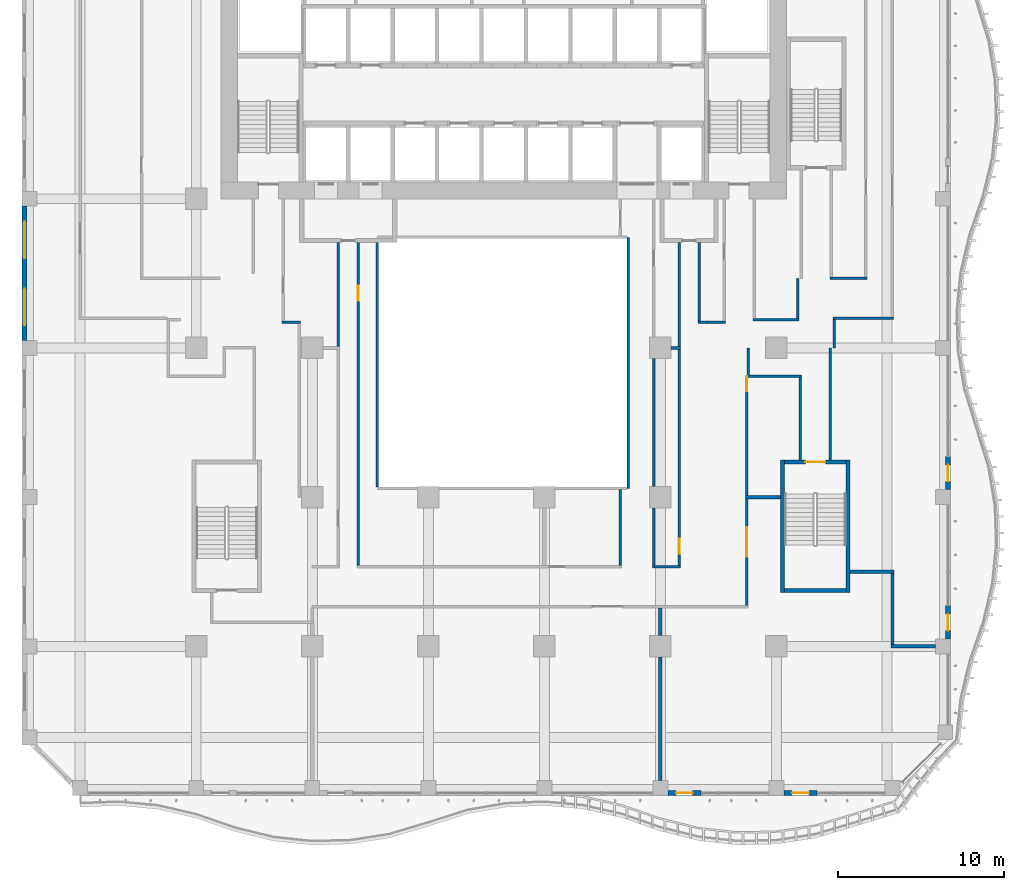
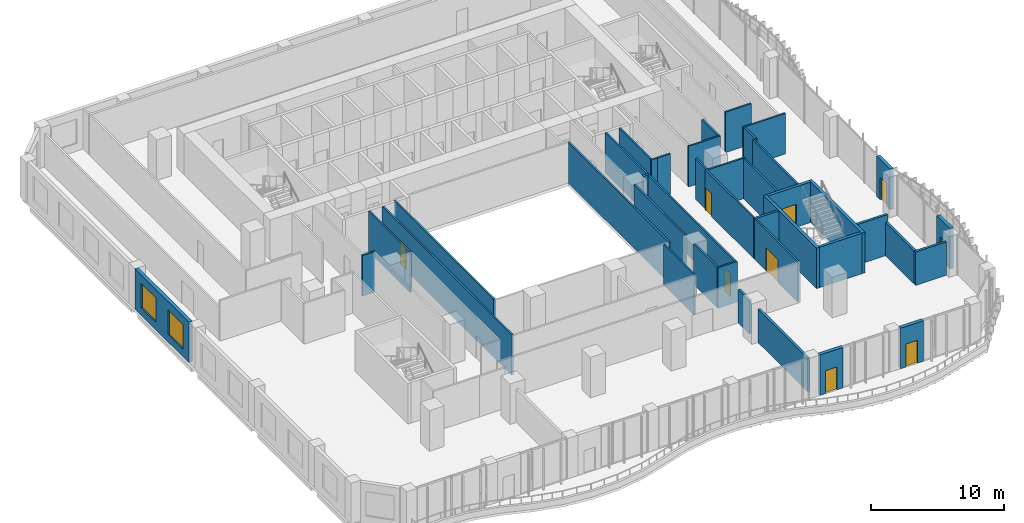
# One storey, part 11 of 25: 41 walls, 9 doors, 2 windows, 11 openings.
"""IFC4 building model written with IfcOpenShell, lengths in metres."""

import ifcopenshell
import ifcopenshell.guid

model = None  # the IFC model being written
_history = None  # IfcOwnerHistory: only IFC2X3 demands one
_inside = {}  # id of a spatial element -> (the spatial element, [elements in it])
_under = {}  # id of a project, library or spatial element -> (it, [spatial elements below it])
_declared = {}  # id of a project -> (the project, [libraries it declares])
_typed = {}  # id of a type object -> (the type object, [elements of that type])
_made_of = {}  # id of a material, layer set ... -> (it, [elements and type objects made of it])


def new_model(schema):
    """Start an empty IFC model of exactly this schema.

    Asked for "IFC4X3", IfcOpenShell would pick the latest addendum, in which some entities
    have other attributes; the version numbers below select the first issue.
    IFC2X3 requires an IfcOwnerHistory on every rooted entity: one is made here for all.
    """
    global model, _history
    if schema == "IFC4X3":
        model = ifcopenshell.file(schema_version=(4, 3, 0, 0))
    else:
        model = ifcopenshell.file(schema=schema)
    _inside.clear()
    _under.clear()
    _declared.clear()
    _typed.clear()
    _made_of.clear()
    _history = None
    if model.schema == "IFC2X3":
        org = make("IfcOrganization", Name="unknown")
        user = make(
            "IfcPersonAndOrganization",
            ThePerson=make("IfcPerson", FamilyName="unknown"),
            TheOrganization=org,
        )
        app = make(
            "IfcApplication",
            ApplicationDeveloper=org,
            Version="unknown",
            ApplicationFullName="unknown",
            ApplicationIdentifier="unknown",
        )
        _history = make(
            "IfcOwnerHistory",
            OwningUser=user,
            OwningApplication=app,
            ChangeAction="ADDED",
            CreationDate=0,
        )
    return model


def make(cls, **values):
    """One entity of the class cls with the attributes given. An attribute that is None is left unset."""
    return model.create_entity(
        cls, **{name: value for name, value in values.items() if value is not None}
    )


def rooted(cls, **values):
    """An entity with a GlobalId (a new one), such as an element, a storey or a relation."""
    return make(cls, GlobalId=ifcopenshell.guid.new(), OwnerHistory=_history, **values)


def si_unit(unit_type, name, prefix=None):
    """IfcSIUnit, for example si_unit("LENGTHUNIT", "METRE", prefix="MILLI")."""
    return make("IfcSIUnit", UnitType=unit_type, Prefix=prefix, Name=name)


def assignment(units):
    """IfcUnitAssignment: the units of a project."""
    return None if units is None else make("IfcUnitAssignment", Units=units)


def point(xyz):
    """IfcCartesianPoint."""
    return None if xyz is None else make("IfcCartesianPoint", Coordinates=xyz)


def direction(xyz):
    """IfcDirection."""
    return None if xyz is None else make("IfcDirection", DirectionRatios=xyz)


def frame(location, z_axis=None, x_axis=None):
    """IfcAxis2Placement3D, a coordinate frame: its origin and axes. An axis left out is left unset."""
    return make(
        "IfcAxis2Placement3D",
        Location=point(location),
        Axis=direction(z_axis),
        RefDirection=direction(x_axis),
    )


def frame_2d(location, x_axis=None):
    """IfcAxis2Placement2D, a coordinate frame in the plane: its origin and x axis."""
    return make(
        "IfcAxis2Placement2D", Location=point(location), RefDirection=direction(x_axis)
    )


def origin():
    """The frame at (0, 0, 0) with its axes left unset."""
    return frame((0.0, 0.0, 0.0))


def place(relative_to, where):
    """IfcLocalPlacement: puts the frame where relative to a parent placement (None: the world)."""
    return make(
        "IfcLocalPlacement", PlacementRelTo=relative_to, RelativePlacement=where
    )


def context(
    kind, dimensions, precision=None, world=None, true_north=None, identifier=None
):
    """IfcGeometricRepresentationContext, for example the 3D "Model" context."""
    return make(
        "IfcGeometricRepresentationContext",
        ContextIdentifier=identifier,
        ContextType=kind,
        CoordinateSpaceDimension=dimensions,
        Precision=precision,
        WorldCoordinateSystem=world,
        TrueNorth=true_north,
    )


def subcontext(parent, identifier, kind, view, scale=None):
    """IfcGeometricRepresentationSubContext, for example "Body" below "Model"."""
    return make(
        "IfcGeometricRepresentationSubContext",
        ContextIdentifier=identifier,
        ContextType=kind,
        ParentContext=parent,
        TargetScale=scale,
        TargetView=view,
    )


def project(units=None, contexts=None):
    """IfcProject with its units and contexts."""
    return rooted(
        "IfcProject",
        Name="project",
        RepresentationContexts=contexts,
        UnitsInContext=assignment(units),
    )


def spatial(cls, under=None, at=None, **own):
    """A site, building, storey or space (cls), placed at a placement, below another one or the project."""
    s = rooted(cls, ObjectPlacement=at, **own)
    if under is not None:
        _under.setdefault(under.id(), (under, []))[1].append(s)
    return s


def profile(cls, at=None, kind="AREA", **sizes):
    """A parametric profile (cls). Its sizes go by their IFC names, for example OverallWidth=200.0."""
    return make(cls, ProfileType=kind, Position=at, **sizes)


def rectangle(**sizes):
    """IfcRectangleProfileDef."""
    return profile("IfcRectangleProfileDef", **sizes)


def extrude(swept, where, along, depth):
    """IfcExtrudedAreaSolid: the profile swept, set in the frame where, extruded along a direction by depth."""
    return make(
        "IfcExtrudedAreaSolid",
        SweptArea=swept,
        Position=where,
        ExtrudedDirection=direction(along),
        Depth=depth,
    )


def shape(context_of_items, identifier, shape_type, items):
    """IfcShapeRepresentation: the items that make up one representation, for example the "Body"."""
    return make(
        "IfcShapeRepresentation",
        ContextOfItems=context_of_items,
        RepresentationIdentifier=identifier,
        RepresentationType=shape_type,
        Items=items,
    )


def source(mapping_origin, context_of_items, identifier, shape_type, items):
    """IfcRepresentationMap: a shape defined once, which mapped items show again and again."""
    return make(
        "IfcRepresentationMap",
        MappingOrigin=mapping_origin,
        MappedRepresentation=shape(context_of_items, identifier, shape_type, items),
    )


def transform(
    local_origin,
    x_axis=None,
    y_axis=None,
    z_axis=None,
    scale=None,
    scale2=None,
    scale3=None,
    uniform=True,
):
    """IfcCartesianTransformationOperator3D, or its non-uniform kind. x_axis, y_axis, z_axis: its Axis1, 2, 3."""
    if uniform:
        return make(
            "IfcCartesianTransformationOperator3D",
            Axis1=direction(x_axis),
            Axis2=direction(y_axis),
            LocalOrigin=point(local_origin),
            Scale=scale,
            Axis3=direction(z_axis),
        )
    return make(
        "IfcCartesianTransformationOperator3DnonUniform",
        Axis1=direction(x_axis),
        Axis2=direction(y_axis),
        LocalOrigin=point(local_origin),
        Scale=scale,
        Axis3=direction(z_axis),
        Scale2=scale2,
        Scale3=scale3,
    )


def mapped(mapping_source, mapping_target):
    """IfcMappedItem: shows the shape of a source again, moved by a transform."""
    return make(
        "IfcMappedItem", MappingSource=mapping_source, MappingTarget=mapping_target
    )


def material(Name=None, Category=None):
    """IfcMaterial."""
    return make("IfcMaterial", Name=Name, Category=Category)


def layer(
    of_material, thickness, ventilated=None, Name=None, Category=None, Priority=None
):
    """IfcMaterialLayer: one layer of a wall or slab, of a material (None: an air gap)."""
    return make(
        "IfcMaterialLayer",
        Material=of_material,
        LayerThickness=thickness,
        IsVentilated=ventilated,
        Name=Name,
        Category=Category,
        Priority=Priority,
    )


def layer_set(layers, Name=None):
    """IfcMaterialLayerSet."""
    return make("IfcMaterialLayerSet", MaterialLayers=layers, LayerSetName=Name)


def made_of(thing, what):
    """Note that an element or type object is made of a material, layer set ...; save() writes the relation."""
    if what is not None:
        _made_of.setdefault(what.id(), (what, []))[1].append(thing)
    return thing


def type_object(cls, material=None, **own):
    """A type object (cls), such as IfcWallType, which elements share."""
    return made_of(rooted(cls, **own), material)


def element(
    cls,
    number,
    at=None,
    inside=None,
    cuts=None,
    type_object=None,
    material=None,
    context=None,
    identifier="Body",
    shape_type=None,
    held_by="IfcProductDefinitionShape",
    body=None,
    shapes=None,
    **own,
):
    """One element of the class cls, such as IfcWall. Its Tag is "e" and its number.

    at: its placement. inside: the storey or other place that contains it. cuts: it is an
    opening in that element (IfcRelVoidsElement). A single representation is given by context,
    identifier, shape_type and body (its items); several are given by shapes. held_by: the class
    of the entity that holds the representations. save() writes the other relations.
    """
    e = rooted(cls, Tag="e%d" % number, ObjectPlacement=at, **own)
    if body is not None:
        shapes = [shape(context, identifier, shape_type, body)]
    if shapes is not None:
        e.Representation = make(held_by, Representations=shapes)
    if inside is not None:
        _inside.setdefault(inside.id(), (inside, []))[1].append(e)
    if cuts is not None:
        rooted(
            "IfcRelVoidsElement", RelatingBuildingElement=cuts, RelatedOpeningElement=e
        )
    if type_object is not None:
        _typed.setdefault(type_object.id(), (type_object, []))[1].append(e)
    return made_of(e, material)


def fill(opening, filler):
    """IfcRelFillsElement: the door or window that sits in an opening."""
    return rooted(
        "IfcRelFillsElement",
        RelatingOpeningElement=opening,
        RelatedBuildingElement=filler,
    )


def aggregate(whole, parts):
    """IfcRelAggregates: a whole, such as a stair, and the parts it consists of."""
    return rooted("IfcRelAggregates", RelatingObject=whole, RelatedObjects=parts)


def save(model, path):
    """Write the relations noted so far, then the file.

    IfcRelAggregates (storeys below a building ...), IfcRelContainedInSpatialStructure (elements
    in a storey), IfcRelDefinesByType, IfcRelAssociatesMaterial and IfcRelDeclares: one each for
    every whole, place, type object, material and project.
    """
    for whole, parts in _under.values():
        aggregate(whole, parts)
    for where, things in _inside.values():
        rooted(
            "IfcRelContainedInSpatialStructure",
            RelatedElements=things,
            RelatingStructure=where,
        )
    for kind, things in _typed.values():
        rooted("IfcRelDefinesByType", RelatedObjects=things, RelatingType=kind)
    for what, things in _made_of.values():
        rooted("IfcRelAssociatesMaterial", RelatedObjects=things, RelatingMaterial=what)
    for by, libraries in _declared.values():
        rooted("IfcRelDeclares", RelatingContext=by, RelatedDefinitions=libraries)
    model.write(path)


model = new_model("IFC4")

# Units and contexts
model_context = context("Model", 3, precision=1e-05, world=origin(), true_north=direction((0.0, 1.0)))
body_context = subcontext(model_context, "Body", "Model", "MODEL_VIEW")
ifc_project = project(units=[si_unit("LENGTHUNIT", "METRE"), si_unit("AREAUNIT", "SQUARE_METRE"), si_unit("VOLUMEUNIT", "CUBIC_METRE"), si_unit("PLANEANGLEUNIT", "RADIAN"), si_unit("MASSUNIT", "GRAM", prefix="KILO")], contexts=[model_context])

# Site, building, storey
site_placement = place(None, origin())
site = spatial("IfcSite", under=ifc_project, at=site_placement, CompositionType="ELEMENT")
building_placement = place(site_placement, origin())
building = spatial("IfcBuilding", under=site, at=building_placement, Name="Kilnfold Tower and Market Hall", CompositionType="ELEMENT")
storey_placement = place(building_placement, frame((0.0, 0.0, 39.0)))
storey = spatial("IfcBuildingStorey", under=building, at=storey_placement, Name="L08", CompositionType="ELEMENT", Elevation=39.0)

# Walls
ifc_material_1 = material(Name="Fire-resisting glazed screen")
ifc_layer_1 = layer(ifc_material_1, 0.14990234375)
ifc_layer_set_1 = layer_set([ifc_layer_1], Name="Fire-resisting glazed screen")
wall_type_1 = type_object("IfcWallType", Name="WALL ATRIUM 150", PredefinedType="PARTITIONING", material=ifc_layer_set_1)
wall_1_placement = place(storey_placement, frame((-6.574951171875, -9.39990234375, 0.0), z_axis=(0.0, 0.0, 1.0), x_axis=(0.0, 1.0, 0.0)))
element("IfcWall", 1, at=wall_1_placement, inside=storey, type_object=wall_type_1, Name="Partition LY08.69", PredefinedType="PARTITIONING", context=body_context, shape_type="SweptSolid", body=[
    extrude(rectangle(XDim=15.0, YDim=0.14990234375, at=frame_2d((7.5, 0.0))), origin(), (0.0, 0.0, 1.0), 3.719970703125),
])
wall_2_placement = place(storey_placement, frame((8.574951171875, 5.675048828125, 0.0), z_axis=(0.0, 0.0, 1.0), x_axis=(0.0, -1.0, 0.0)))
element("IfcWall", 2, at=wall_2_placement, inside=storey, type_object=wall_type_1, Name="Partition LY08.71", PredefinedType="PARTITIONING", context=body_context, shape_type="SweptSolid", body=[
    extrude(rectangle(XDim=15.150146484375, YDim=0.14990234375, at=frame_2d((7.5751953125, 0.0))), origin(), (0.0, 0.0, 1.0), 3.719970703125),
])
ifc_material_2 = material(Name="Gypsum board on steel studs", Category="steel")
ifc_layer_2 = layer(ifc_material_2, 0.14990234375)
ifc_layer_set_2 = layer_set([ifc_layer_2], Name="Gypsum board on steel studs")
wall_type_2 = type_object("IfcWallType", Name="WALL CORRIDOR 150", PredefinedType="PARTITIONING", material=ifc_layer_set_2)
wall_3_placement = place(storey_placement, frame((-12.324951171875, 0.550048828125, 0.0), z_axis=(0.0, 0.0, 1.0), x_axis=(1.0, 0.0, 0.0)))
element("IfcWall", 3, at=wall_3_placement, inside=storey, type_object=wall_type_2, Name="Partition LY08.5", PredefinedType="PARTITIONING", context=body_context, shape_type="SweptSolid", body=[
    extrude(rectangle(XDim=1.099853515625, YDim=0.14990234375, at=frame_2d((0.5498046875, 0.0))), origin(), (0.0, 0.0, 1.0), 3.719970703125),
])
wall_4_placement = place(storey_placement, frame((-8.929931640625, -0.909912109375, 0.0), z_axis=(0.0, 0.0, 1.0), x_axis=(0.0, 1.0, 0.0)))
element("IfcWall", 4, at=wall_4_placement, inside=storey, type_object=wall_type_2, Name="Partition LY08.6", PredefinedType="PARTITIONING", context=body_context, shape_type="SweptSolid", body=[
    extrude(rectangle(XDim=6.260009765625, YDim=0.14990234375, at=frame_2d((3.1298828125, 0.0))), origin(), (0.0, 0.0, 1.0), 3.719970703125),
])

# Wall, opening, door
wall_5_placement = place(storey_placement, frame((-7.72998046875, -14.125, 0.0), z_axis=(0.0, 0.0, 1.0), x_axis=(0.0, 1.0, 0.0)))
wall_5 = element("IfcWall", 5, at=wall_5_placement, inside=storey, type_object=wall_type_2, Name="Partition LY08.7", PredefinedType="PARTITIONING", context=body_context, shape_type="SweptSolid", body=[
    extrude(rectangle(XDim=19.47509765625, YDim=0.14990234375, at=frame_2d((9.737548828125, 0.0))), origin(), (0.0, 0.0, 1.0), 3.719970703125),
])
opening_1_placement = place(wall_5_placement, frame((15.965087890625, 0.0, 0.0)))
opening_1 = element("IfcOpeningElement", 6, at=opening_1_placement, cuts=wall_5, Name="Opening D2", PredefinedType="OPENING", context=body_context, shape_type="SweptSolid", body=[
    extrude(rectangle(XDim=0.89990234375, YDim=2.10009765625, at=frame_2d((0.449951171875, 1.050048828125))), frame((0.0, 0.0849609375, 0.0), z_axis=(0.0, -1.0, 0.0), x_axis=(1.0, 0.0, 0.0)), (0.0, 0.0, 1.0), 0.169921875),
])
ifc_material_3 = material(Name="Timber veneer door leaf in steel frame", Category="steel")
door_type_1 = type_object("IfcDoorType", Name="DOOR ROOM 900 X2100", OperationType="NOTDEFINED", PredefinedType="DOOR", material=ifc_material_3)
door_1_placement = place(opening_1_placement, origin())
door_1 = element("IfcDoor", 7, at=door_1_placement, inside=storey, type_object=door_type_1, Name="Door D2", OperationType="SINGLE_SWING_RIGHT", OverallHeight=2.10009765625, OverallWidth=0.89990234375, PredefinedType="DOOR", context=body_context, shape_type="SweptSolid", body=[
    extrude(rectangle(XDim=0.89990234375, YDim=2.10009765625, at=frame_2d((0.449951171875, 1.050048828125))), frame((0.0, 0.02490234375, 0.0), z_axis=(0.0, -1.0, 0.0), x_axis=(1.0, 0.0, 0.0)), (0.0, 0.0, 1.0), 0.050048828125),
])
fill(opening_1, door_1)

# Walls
wall_6_placement = place(storey_placement, frame((8.090087890625, -14.125, 0.0), z_axis=(0.0, 0.0, 1.0), x_axis=(0.0, 1.0, 0.0)))
element("IfcWall", 8, at=wall_6_placement, inside=storey, type_object=wall_type_2, Name="Partition LY08.12", PredefinedType="PARTITIONING", context=body_context, shape_type="SweptSolid", body=[
    extrude(rectangle(XDim=4.574951171875, YDim=0.14990234375, at=frame_2d((2.28759765625, 0.0))), origin(), (0.0, 0.0, 1.0), 3.719970703125),
])
wall_7_placement = place(storey_placement, frame((10.090087890625, -9.35009765625, 0.0), z_axis=(0.0, 0.0, 1.0), x_axis=(0.0, 1.0, 0.0)))
element("IfcWall", 9, at=wall_7_placement, inside=storey, type_object=wall_type_2, Name="Partition LY08.13", PredefinedType="PARTITIONING", context=body_context, shape_type="SweptSolid", body=[
    extrude(rectangle(XDim=7.7001953125, YDim=0.14990234375, at=frame_2d((3.85009765625, 0.0))), origin(), (0.0, 0.0, 1.0), 3.719970703125),
])
wall_8_placement = place(storey_placement, frame((10.090087890625, -14.125, 0.0), z_axis=(0.0, 0.0, 1.0), x_axis=(0.0, 1.0, 0.0)))
element("IfcWall", 10, at=wall_8_placement, inside=storey, type_object=wall_type_2, Name="Partition LY08.14", PredefinedType="PARTITIONING", context=body_context, shape_type="SweptSolid", body=[
    extrude(rectangle(XDim=3.47509765625, YDim=0.14990234375, at=frame_2d((1.737548828125, 0.0))), origin(), (0.0, 0.0, 1.0), 3.719970703125),
])
wall_9_placement = place(storey_placement, frame((10.014892578125, -14.199951171875, 0.0), z_axis=(0.0, 0.0, 1.0), x_axis=(1.0, 0.0, 0.0)))
element("IfcWall", 11, at=wall_9_placement, inside=storey, type_object=wall_type_2, Name="Partition LY08.15", PredefinedType="PARTITIONING", context=body_context, shape_type="SweptSolid", body=[
    extrude(rectangle(XDim=1.690185546875, YDim=0.14990234375, at=frame_2d((0.84521484375, 0.0))), origin(), (0.0, 0.0, 1.0), 3.719970703125),
])

# Wall, opening, door
wall_10_placement = place(storey_placement, frame((11.6298828125, -14.125, 0.0), z_axis=(0.0, 0.0, 1.0), x_axis=(0.0, 1.0, 0.0)))
wall_10 = element("IfcWall", 12, at=wall_10_placement, inside=storey, type_object=wall_type_2, Name="Partition LY08.16", PredefinedType="PARTITIONING", context=body_context, shape_type="SweptSolid", body=[
    extrude(rectangle(XDim=13.034912109375, YDim=0.14990234375, at=frame_2d((6.517578125, 0.0))), origin(), (0.0, 0.0, 1.0), 3.719970703125),
])
opening_2_placement = place(wall_10_placement, frame((0.700927734375, 0.0, 0.0)))
opening_2 = element("IfcOpeningElement", 13, at=opening_2_placement, cuts=wall_10, Name="Opening D2", PredefinedType="OPENING", context=body_context, shape_type="SweptSolid", body=[
    extrude(rectangle(XDim=0.89990234375, YDim=2.10009765625, at=frame_2d((0.449951171875, 1.050048828125))), frame((0.0, 0.0849609375, 0.0), z_axis=(0.0, -1.0, 0.0), x_axis=(1.0, 0.0, 0.0)), (0.0, 0.0, 1.0), 0.169921875),
])
door_2_placement = place(opening_2_placement, origin())
door_2 = element("IfcDoor", 14, at=door_2_placement, inside=storey, type_object=door_type_1, Name="Door D2", OperationType="SINGLE_SWING_LEFT", OverallHeight=2.10009765625, OverallWidth=0.89990234375, PredefinedType="DOOR", context=body_context, shape_type="SweptSolid", body=[
    extrude(rectangle(XDim=0.89990234375, YDim=2.10009765625, at=frame_2d((0.449951171875, 1.050048828125))), frame((0.0, 0.02490234375, 0.0), z_axis=(0.0, -1.0, 0.0), x_axis=(1.0, 0.0, 0.0)), (0.0, 0.0, 1.0), 0.050048828125),
])
fill(opening_2, door_2)

# Walls
wall_11_placement = place(storey_placement, frame((11.6298828125, -0.909912109375, 0.0), z_axis=(0.0, 0.0, 1.0), x_axis=(0.0, 1.0, 0.0)))
element("IfcWall", 15, at=wall_11_placement, inside=storey, type_object=wall_type_2, Name="Partition LY08.18", PredefinedType="PARTITIONING", context=body_context, shape_type="SweptSolid", body=[
    extrude(rectangle(XDim=6.260009765625, YDim=0.14990234375, at=frame_2d((3.1298828125, 0.0))), origin(), (0.0, 0.0, 1.0), 3.719970703125),
])
wall_12_placement = place(storey_placement, frame((12.830078125, 0.616943359375, 0.0), z_axis=(0.0, 0.0, 1.0), x_axis=(0.0, 1.0, 0.0)))
element("IfcWall", 16, at=wall_12_placement, inside=storey, type_object=wall_type_2, Name="Partition LY08.19", PredefinedType="PARTITIONING", context=body_context, shape_type="SweptSolid", body=[
    extrude(rectangle(XDim=4.733154296875, YDim=0.14990234375, at=frame_2d((2.36669921875, 0.0))), origin(), (0.0, 0.0, 1.0), 3.719970703125),
])
wall_13_placement = place(storey_placement, frame((13.300048828125, 0.5419921875, 0.0), z_axis=(0.0, 0.0, 1.0), x_axis=(-1.0, 0.0, 0.0)))
element("IfcWall", 17, at=wall_13_placement, inside=storey, type_object=wall_type_2, Name="Partition LY08.20", PredefinedType="PARTITIONING", context=body_context, shape_type="SweptSolid", body=[
    extrude(rectangle(XDim=0.545166015625, YDim=0.14990234375, at=frame_2d((0.2724609375, 0.0))), origin(), (0.0, 0.0, 1.0), 3.719970703125),
])
wall_14_placement = place(storey_placement, frame((13.300048828125, 0.550048828125, 0.0), z_axis=(0.0, 0.0, 1.0), x_axis=(1.0, 0.0, 0.0)))
element("IfcWall", 18, at=wall_14_placement, inside=storey, type_object=wall_type_2, Name="Partition LY08.21", PredefinedType="PARTITIONING", context=body_context, shape_type="SweptSolid", body=[
    extrude(rectangle(XDim=1.125, YDim=0.14990234375, at=frame_2d((0.5625, 0.0))), origin(), (0.0, 0.0, 1.0), 3.719970703125),
])
wall_15_placement = place(storey_placement, frame((16.074951171875, 0.699951171875, 0.0), z_axis=(0.0, 0.0, 1.0), x_axis=(1.0, 0.0, 0.0)))
element("IfcWall", 19, at=wall_15_placement, inside=storey, type_object=wall_type_2, Name="Partition LY08.24", PredefinedType="PARTITIONING", context=body_context, shape_type="SweptSolid", body=[
    extrude(rectangle(XDim=2.780029296875, YDim=0.14990234375, at=frame_2d((1.39013671875, 0.0))), origin(), (0.0, 0.0, 1.0), 3.719970703125),
])
wall_16_placement = place(storey_placement, frame((18.780029296875, 3.199951171875, 0.0), z_axis=(0.0, 0.0, 1.0), x_axis=(0.0, -1.0, 0.0)))
element("IfcWall", 20, at=wall_16_placement, inside=storey, type_object=wall_type_2, Name="Partition LY08.25", PredefinedType="PARTITIONING", context=body_context, shape_type="SweptSolid", body=[
    extrude(rectangle(XDim=2.425048828125, YDim=0.14990234375, at=frame_2d((1.21240234375, 0.0))), origin(), (0.0, 0.0, 1.0), 3.719970703125),
])
wall_17_placement = place(storey_placement, frame((20.72509765625, 3.199951171875, 0.0), z_axis=(0.0, 0.0, 1.0), x_axis=(1.0, 0.0, 0.0)))
element("IfcWall", 21, at=wall_17_placement, inside=storey, type_object=wall_type_2, Name="Partition LY08.28", PredefinedType="PARTITIONING", context=body_context, shape_type="SweptSolid", body=[
    extrude(rectangle(XDim=2.25, YDim=0.14990234375, at=frame_2d((1.125, 0.0))), origin(), (0.0, 0.0, 1.0), 3.719970703125),
])

# Wall, opening, door
wall_18_placement = place(storey_placement, frame((15.699951171875, -16.52490234375, 0.0), z_axis=(0.0, 0.0, 1.0), x_axis=(0.0, 1.0, 0.0)))
wall_18 = element("IfcWall", 22, at=wall_18_placement, inside=storey, type_object=wall_type_2, Name="Partition LY08.43", PredefinedType="PARTITIONING", context=body_context, shape_type="SweptSolid", body=[
    extrude(rectangle(XDim=6.434814453125, YDim=0.14990234375, at=frame_2d((3.21728515625, 0.0))), origin(), (0.0, 0.0, 1.0), 3.719970703125),
])
opening_3_placement = place(wall_18_placement, frame((2.922119140625, 0.0, 0.0)))
opening_3 = element("IfcOpeningElement", 23, at=opening_3_placement, cuts=wall_18, Name="Opening D5", PredefinedType="OPENING", context=body_context, shape_type="SweptSolid", body=[
    extrude(rectangle(XDim=1.800048828125, YDim=2.10009765625, at=frame_2d((0.89990234375, 1.050048828125))), frame((0.0, 0.0849609375, 0.0), z_axis=(0.0, -1.0, 0.0), x_axis=(1.0, 0.0, 0.0)), (0.0, 0.0, 1.0), 0.169921875),
])
ifc_material_4 = material(Name="Timber veneer door leaf in steel frame", Category="steel")
door_type_2 = type_object("IfcDoorType", Name="DOOR DOUBLE 1800 X2100", OperationType="NOTDEFINED", PredefinedType="DOOR", material=ifc_material_4)
door_3_placement = place(opening_3_placement, origin())
door_3 = element("IfcDoor", 24, at=door_3_placement, inside=storey, type_object=door_type_2, Name="Door D5", OperationType="DOUBLE_DOOR_SINGLE_SWING", OverallHeight=2.10009765625, OverallWidth=1.800048828125, PredefinedType="DOOR", context=body_context, shape_type="SweptSolid", body=[
    extrude(rectangle(XDim=1.800048828125, YDim=2.10009765625, at=frame_2d((0.89990234375, 1.050048828125))), frame((0.0, 0.02490234375, 0.0), z_axis=(0.0, -1.0, 0.0), x_axis=(1.0, 0.0, 0.0)), (0.0, 0.0, 1.0), 0.050048828125),
])
fill(opening_3, door_3)

# Walls
wall_19_placement = place(storey_placement, frame((18.949951171875, -2.77490234375, 0.0), z_axis=(0.0, 0.0, 1.0), x_axis=(0.0, -1.0, 0.0)))
element("IfcWall", 25, at=wall_19_placement, inside=storey, type_object=wall_type_2, Name="Partition LY08.44", PredefinedType="PARTITIONING", context=body_context, shape_type="SweptSolid", body=[
    extrude(rectangle(XDim=4.97509765625, YDim=0.14990234375, at=frame_2d((2.487548828125, 0.0))), origin(), (0.0, 0.0, 1.0), 3.719970703125),
])
wall_20_placement = place(storey_placement, frame((15.77490234375, -2.699951171875, 0.0), z_axis=(0.0, 0.0, 1.0), x_axis=(1.0, 0.0, 0.0)))
element("IfcWall", 26, at=wall_20_placement, inside=storey, type_object=wall_type_2, Name="Partition LY08.45", PredefinedType="PARTITIONING", context=body_context, shape_type="SweptSolid", body=[
    extrude(rectangle(XDim=3.25, YDim=0.14990234375, at=frame_2d((1.625, 0.0))), origin(), (0.0, 0.0, 1.0), 3.719970703125),
])
wall_21_placement = place(storey_placement, frame((15.800048828125, -2.625, 0.0), z_axis=(0.0, 0.0, 1.0), x_axis=(0.0, 1.0, 0.0)))
element("IfcWall", 27, at=wall_21_placement, inside=storey, type_object=wall_type_2, Name="Partition LY08.46", PredefinedType="PARTITIONING", context=body_context, shape_type="SweptSolid", body=[
    extrude(rectangle(XDim=1.625, YDim=0.14990234375, at=frame_2d((0.8125, 0.0))), origin(), (0.0, 0.0, 1.0), 3.719970703125),
])

# Wall, opening, door
wall_22_placement = place(storey_placement, frame((15.699951171875, -9.909912109375, 0.0), z_axis=(0.0, 0.0, 1.0), x_axis=(0.0, 1.0, 0.0)))
wall_22 = element("IfcWall", 28, at=wall_22_placement, inside=storey, type_object=wall_type_2, Name="Partition LY08.47", PredefinedType="PARTITIONING", context=body_context, shape_type="SweptSolid", body=[
    extrude(rectangle(XDim=7.284912109375, YDim=0.14990234375, at=frame_2d((3.642578125, 0.0))), origin(), (0.0, 0.0, 1.0), 3.719970703125),
])
opening_4_placement = place(wall_22_placement, frame((6.30810546875, 0.0, 0.0)))
opening_4 = element("IfcOpeningElement", 29, at=opening_4_placement, cuts=wall_22, Name="Opening D2", PredefinedType="OPENING", context=body_context, shape_type="SweptSolid", body=[
    extrude(rectangle(XDim=0.89990234375, YDim=2.10009765625, at=frame_2d((0.449951171875, 1.050048828125))), frame((0.0, 0.0849609375, 0.0), z_axis=(0.0, -1.0, 0.0), x_axis=(1.0, 0.0, 0.0)), (0.0, 0.0, 1.0), 0.169921875),
])
door_4_placement = place(opening_4_placement, origin())
door_4 = element("IfcDoor", 30, at=door_4_placement, inside=storey, type_object=door_type_1, Name="Door D2", OperationType="SINGLE_SWING_RIGHT", OverallHeight=2.10009765625, OverallWidth=0.89990234375, PredefinedType="DOOR", context=body_context, shape_type="SweptSolid", body=[
    extrude(rectangle(XDim=0.89990234375, YDim=2.10009765625, at=frame_2d((0.449951171875, 1.050048828125))), frame((0.0, 0.02490234375, 0.0), z_axis=(0.0, -1.0, 0.0), x_axis=(1.0, 0.0, 0.0)), (0.0, 0.0, 1.0), 0.050048828125),
])
fill(opening_4, door_4)

# Walls
wall_23_placement = place(storey_placement, frame((20.925048828125, 0.800048828125, 0.0), z_axis=(0.0, 0.0, 1.0), x_axis=(1.0, 0.0, 0.0)))
element("IfcWall", 31, at=wall_23_placement, inside=storey, type_object=wall_type_2, Name="Partition LY08.49", PredefinedType="PARTITIONING", context=body_context, shape_type="SweptSolid", body=[
    extrude(rectangle(XDim=3.64990234375, YDim=0.14990234375, at=frame_2d((1.824951171875, 0.0))), origin(), (0.0, 0.0, 1.0), 3.719970703125),
])
wall_24_placement = place(storey_placement, frame((21.0, -1.0, 0.0), z_axis=(0.0, 0.0, 1.0), x_axis=(0.0, 1.0, 0.0)))
element("IfcWall", 32, at=wall_24_placement, inside=storey, type_object=wall_type_2, Name="Partition LY08.50", PredefinedType="PARTITIONING", context=body_context, shape_type="SweptSolid", body=[
    extrude(rectangle(XDim=1.72509765625, YDim=0.14990234375, at=frame_2d((0.862548828125, 0.0))), origin(), (0.0, 0.0, 1.0), 3.719970703125),
])
wall_25_placement = place(storey_placement, frame((20.75, -7.75, 0.0), z_axis=(0.0, 0.0, 1.0), x_axis=(0.0, 1.0, 0.0)))
element("IfcWall", 33, at=wall_25_placement, inside=storey, type_object=wall_type_2, Name="Partition LY08.51", PredefinedType="PARTITIONING", context=body_context, shape_type="SweptSolid", body=[
    extrude(rectangle(XDim=6.75, YDim=0.14990234375, at=frame_2d((3.375, 0.0))), origin(), (0.0, 0.0, 1.0), 3.719970703125),
])
ifc_material_5 = material(Name="Gypsum board on steel studs", Category="steel")
ifc_layer_3 = layer(ifc_material_5, 0.199951171875)
ifc_layer_set_3 = layer_set([ifc_layer_3], Name="Gypsum board on steel studs")
wall_type_3 = type_object("IfcWallType", Name="WALL PARTY 200", PredefinedType="PARTITIONING", material=ifc_layer_set_3)
wall_26_placement = place(storey_placement, frame((11.14990234375, -1.0, 0.0), z_axis=(0.0, 0.0, 1.0), x_axis=(1.0, 0.0, 0.0)))
element("IfcWall", 34, at=wall_26_placement, inside=storey, type_object=wall_type_3, Name="Partition LY08.59", PredefinedType="PARTITIONING", context=body_context, shape_type="SweptSolid", body=[
    extrude(rectangle(XDim=0.55419921875, YDim=0.199951171875, at=frame_2d((0.277099609375, 0.0))), origin(), (0.0, 0.0, 1.0), 3.719970703125),
])
wall_27_placement = place(storey_placement, frame((10.5, -18.35009765625, 0.0), z_axis=(0.0, 0.0, 1.0), x_axis=(0.0, 1.0, 0.0)))
element("IfcWall", 35, at=wall_27_placement, inside=storey, type_object=wall_type_3, Name="Partition LY08.62", PredefinedType="PARTITIONING", context=body_context, shape_type="SweptSolid", body=[
    extrude(rectangle(XDim=1.674072265625, YDim=0.199951171875, at=frame_2d((0.8369140625, 0.0))), origin(), (0.0, 0.0, 1.0), 3.070068359375),
])
wall_28_placement = place(storey_placement, frame((10.5, -27.10009765625, 0.0), z_axis=(0.0, 0.0, 1.0), x_axis=(0.0, 1.0, 0.0)))
element("IfcWall", 36, at=wall_28_placement, inside=storey, type_object=wall_type_3, Name="Partition LY08.63", PredefinedType="PARTITIONING", context=body_context, shape_type="SweptSolid", body=[
    extrude(rectangle(XDim=7.4501953125, YDim=0.199951171875, at=frame_2d((3.72509765625, 0.0))), origin(), (0.0, 0.0, 1.0), 3.070068359375),
])
wall_29_placement = place(storey_placement, frame((17.75, -10.0, 0.0), z_axis=(0.0, 0.0, 1.0), x_axis=(-1.0, 0.0, 0.0)))
element("IfcWall", 37, at=wall_29_placement, inside=storey, type_object=wall_type_3, Name="Partition LY08.64", PredefinedType="PARTITIONING", context=body_context, shape_type="SweptSolid", body=[
    extrude(rectangle(XDim=2.1240234375, YDim=0.199951171875, at=frame_2d((1.06201171875, 0.0))), origin(), (0.0, 0.0, 1.0), 3.719970703125),
])
wall_30_placement = place(storey_placement, frame((24.60009765625, -14.5, 0.0), z_axis=(0.0, 0.0, 1.0), x_axis=(-1.0, 0.0, 0.0)))
element("IfcWall", 38, at=wall_30_placement, inside=storey, type_object=wall_type_3, Name="Partition LY08.65", PredefinedType="PARTITIONING", context=body_context, shape_type="SweptSolid", body=[
    extrude(rectangle(XDim=2.650146484375, YDim=0.199951171875, at=frame_2d((1.3251953125, 0.0))), origin(), (0.0, 0.0, 1.0), 3.719970703125),
])
wall_31_placement = place(storey_placement, frame((24.5, -18.89990234375, 0.0), z_axis=(0.0, 0.0, 1.0), x_axis=(0.0, 1.0, 0.0)))
element("IfcWall", 39, at=wall_31_placement, inside=storey, type_object=wall_type_3, Name="Partition LY08.66", PredefinedType="PARTITIONING", context=body_context, shape_type="SweptSolid", body=[
    extrude(rectangle(XDim=4.2998046875, YDim=0.199951171875, at=frame_2d((2.14990234375, 0.0))), origin(), (0.0, 0.0, 1.0), 3.070068359375),
])
wall_32_placement = place(storey_placement, frame((27.10009765625, -19.0, 0.0), z_axis=(0.0, 0.0, 1.0), x_axis=(-1.0, 0.0, 0.0)))
element("IfcWall", 40, at=wall_32_placement, inside=storey, type_object=wall_type_3, Name="Partition LY08.67", PredefinedType="PARTITIONING", context=body_context, shape_type="SweptSolid", body=[
    extrude(rectangle(XDim=2.7001953125, YDim=0.199951171875, at=frame_2d((1.35009765625, 0.0))), origin(), (0.0, 0.0, 1.0), 3.070068359375),
])
ifc_material_6 = material(Name="Concrete C80", Category="concrete")
ifc_layer_4 = layer(ifc_material_6, 0.25)
ifc_layer_set_4 = layer_set([ifc_layer_4], Name="Concrete C80")
wall_type_4 = type_object("IfcWallType", Name="CORE WALL 250 C80", PredefinedType="SHEAR", material=ifc_layer_set_4)
shared_shape_1 = source(origin(), body_context, "Body", "SweptSolid", [
    extrude(rectangle(XDim=3.699951171875, YDim=0.25, at=frame_2d((1.85009765625, 0.0))), origin(), (0.0, 0.0, 1.0), 3.719970703125),
])
wall_33_placement = place(storey_placement, frame((18.0, -15.625, 0.0), z_axis=(0.0, 0.0, 1.0), x_axis=(1.0, 0.0, 0.0)))
element("IfcWall", 41, at=wall_33_placement, inside=storey, type_object=wall_type_4, Name="Stair enclosure ST4", PredefinedType="SHEAR", context=body_context, shape_type="MappedRepresentation", body=[
    mapped(shared_shape_1, transform((0.0, 0.0, 0.0))),
])

# Wall, opening, door
wall_34_placement = place(storey_placement, frame((18.0, -7.875, 0.0), z_axis=(0.0, 0.0, 1.0), x_axis=(1.0, 0.0, 0.0)))
wall_34 = element("IfcWall", 42, at=wall_34_placement, inside=storey, type_object=wall_type_4, Name="Stair enclosure ST4", PredefinedType="SHEAR", context=body_context, shape_type="MappedRepresentation", body=[
    mapped(shared_shape_1, transform((0.0, 0.0, 0.0))),
])
opening_5_placement = place(wall_34_placement, frame((1.25, 0.0, 0.0)))
opening_5 = element("IfcOpeningElement", 43, at=opening_5_placement, cuts=wall_34, Name="Opening SD1", PredefinedType="OPENING", context=body_context, shape_type="SweptSolid", body=[
    extrude(rectangle(XDim=1.199951171875, YDim=2.10009765625, at=frame_2d((0.60009765625, 1.050048828125))), frame((0.0, 0.135009765625, 0.0), z_axis=(0.0, -1.0, 0.0), x_axis=(1.0, 0.0, 0.0)), (0.0, 0.0, 1.0), 0.27001953125),
])
ifc_material_7 = material(Name="Steel door set with fire-resisting leaf", Category="steel")
door_type_3 = type_object("IfcDoorType", Name="STAIR FLOOR DOOR 1200X2100", OperationType="NOTDEFINED", PredefinedType="DOOR", material=ifc_material_7)
door_5_placement = place(opening_5_placement, origin())
door_5 = element("IfcDoor", 44, at=door_5_placement, inside=storey, type_object=door_type_3, Name="Exit stair ST4 door", OperationType="DOUBLE_DOOR_SINGLE_SWING", OverallHeight=2.10009765625, OverallWidth=1.199951171875, PredefinedType="DOOR", context=body_context, shape_type="SweptSolid", body=[
    extrude(rectangle(XDim=1.199951171875, YDim=2.10009765625, at=frame_2d((0.60009765625, 1.050048828125))), frame((0.0, 0.02490234375, 0.0), z_axis=(0.0, -1.0, 0.0), x_axis=(1.0, 0.0, 0.0)), (0.0, 0.0, 1.0), 0.050048828125),
])
fill(opening_5, door_5)

# Walls
shared_shape_2 = source(origin(), body_context, "Body", "SweptSolid", [
    extrude(rectangle(XDim=8.0, YDim=0.25, at=frame_2d((4.0, 0.0))), origin(), (0.0, 0.0, 1.0), 3.719970703125),
])
for number, where, z_axis, x_axis, name in (
    (45, (17.875, -15.75, 0.0), (0.0, 0.0, 1.0), (0.0, 1.0, 0.0), "Stair enclosure ST4"),
    (46, (21.824951171875, -15.75, 0.0), (0.0, 0.0, 1.0), (0.0, 1.0, 0.0), "Stair enclosure ST4"),
):
    element("IfcWall", number, at=place(storey_placement, frame(where, z_axis=z_axis, x_axis=x_axis)), inside=storey, type_object=wall_type_4, Name=name, PredefinedType="SHEAR", context=body_context, shape_type="MappedRepresentation", body=[
        mapped(shared_shape_2, transform((0.0, 0.0, 0.0))),
    ])

# Wall, opening, door
ifc_material_8 = material(Name="Precast concrete C50/60", Category="concrete")
ifc_layer_5 = layer(ifc_material_8, 0.300048828125)
ifc_layer_set_5 = layer_set([ifc_layer_5], Name="Precast concrete C50/60")
wall_type_5 = type_object("IfcWallType", Name="PRECAST WALL 300", PredefinedType="SOLIDWALL", material=ifc_layer_set_5)
shared_shape_3 = source(origin(), body_context, "Body", "SweptSolid", [
    extrude(rectangle(XDim=2.0, YDim=0.300048828125, at=frame_2d((1.0, 0.0))), origin(), (0.0, 0.0, 1.0), 3.719970703125),
])
wall_35_placement = place(storey_placement, frame((10.949951171875, -27.85009765625, 0.0), z_axis=(0.0, 0.0, 1.0), x_axis=(1.0, 0.0, 0.0)))
wall_35 = element("IfcWall", 47, at=wall_35_placement, inside=storey, type_object=wall_type_5, Name="External wall L08 S", PredefinedType="SOLIDWALL", context=body_context, shape_type="MappedRepresentation", body=[
    mapped(shared_shape_3, transform((0.0, 0.0, 0.0))),
])
opening_6_placement = place(wall_35_placement, frame((0.5, 0.0, 0.0)))
opening_6 = element("IfcOpeningElement", 48, at=opening_6_placement, cuts=wall_35, Name="Opening BD1", PredefinedType="OPENING", context=body_context, shape_type="SweptSolid", body=[
    extrude(rectangle(XDim=1.0, YDim=2.10009765625, at=frame_2d((0.5, 1.050048828125))), frame((0.0, 0.16015625, 0.0), z_axis=(0.0, -1.0, 0.0), x_axis=(1.0, 0.0, 0.0)), (0.0, 0.0, 1.0), 0.320068359375),
])
ifc_material_9 = material(Name="Aluminium frame and double glazing", Category="aluminium")
door_type_4 = type_object("IfcDoorType", Name="BALCONY DOOR 1000X2100", OperationType="NOTDEFINED", PredefinedType="DOOR", material=ifc_material_9)
door_6_placement = place(opening_6_placement, origin())
door_6 = element("IfcDoor", 49, at=door_6_placement, inside=storey, type_object=door_type_4, Name="Balcony door BD1 L08 S-1", OperationType="SINGLE_SWING_LEFT", OverallHeight=2.10009765625, OverallWidth=1.0, PredefinedType="DOOR", context=body_context, shape_type="SweptSolid", body=[
    extrude(rectangle(XDim=1.0, YDim=2.10009765625, at=frame_2d((0.5, 1.050048828125))), frame((0.0, 0.02490234375, 0.0), z_axis=(0.0, -1.0, 0.0), x_axis=(1.0, 0.0, 0.0)), (0.0, 0.0, 1.0), 0.050048828125),
])
fill(opening_6, door_6)

wall_36_placement = place(storey_placement, frame((17.949951171875, -27.85009765625, 0.0), z_axis=(0.0, 0.0, 1.0), x_axis=(1.0, 0.0, 0.0)))
wall_36 = element("IfcWall", 50, at=wall_36_placement, inside=storey, type_object=wall_type_5, Name="External wall L08 S", PredefinedType="SOLIDWALL", context=body_context, shape_type="MappedRepresentation", body=[
    mapped(shared_shape_3, transform((0.0, 0.0, 0.0))),
])
opening_7_placement = place(wall_36_placement, frame((0.5, 0.0, 0.0)))
opening_7 = element("IfcOpeningElement", 51, at=opening_7_placement, cuts=wall_36, Name="Opening BD1", PredefinedType="OPENING", context=body_context, shape_type="SweptSolid", body=[
    extrude(rectangle(XDim=1.0, YDim=2.10009765625, at=frame_2d((0.5, 1.050048828125))), frame((0.0, 0.16015625, 0.0), z_axis=(0.0, -1.0, 0.0), x_axis=(1.0, 0.0, 0.0)), (0.0, 0.0, 1.0), 0.320068359375),
])
door_7_placement = place(opening_7_placement, origin())
door_7 = element("IfcDoor", 52, at=door_7_placement, inside=storey, type_object=door_type_4, Name="Balcony door BD1 L08 S-1", OperationType="SINGLE_SWING_LEFT", OverallHeight=2.10009765625, OverallWidth=1.0, PredefinedType="DOOR", context=body_context, shape_type="SweptSolid", body=[
    extrude(rectangle(XDim=1.0, YDim=2.10009765625, at=frame_2d((0.5, 1.050048828125))), frame((0.0, 0.02490234375, 0.0), z_axis=(0.0, -1.0, 0.0), x_axis=(1.0, 0.0, 0.0)), (0.0, 0.0, 1.0), 0.050048828125),
])
fill(opening_7, door_7)

wall_37_placement = place(storey_placement, frame((27.85009765625, -18.550048828125, 0.0), z_axis=(0.0, 0.0, 1.0), x_axis=(0.0, 1.0, 0.0)))
wall_37 = element("IfcWall", 53, at=wall_37_placement, inside=storey, type_object=wall_type_5, Name="External wall L08 E", PredefinedType="SOLIDWALL", context=body_context, shape_type="MappedRepresentation", body=[
    mapped(shared_shape_3, transform((0.0, 0.0, 0.0))),
])
opening_8_placement = place(wall_37_placement, frame((0.5, 0.0, 0.0)))
opening_8 = element("IfcOpeningElement", 54, at=opening_8_placement, cuts=wall_37, Name="Opening BD1", PredefinedType="OPENING", context=body_context, shape_type="SweptSolid", body=[
    extrude(rectangle(XDim=1.0, YDim=2.10009765625, at=frame_2d((0.5, 1.050048828125))), frame((0.0, 0.16015625, 0.0), z_axis=(0.0, -1.0, 0.0), x_axis=(1.0, 0.0, 0.0)), (0.0, 0.0, 1.0), 0.320068359375),
])
door_8_placement = place(opening_8_placement, origin())
door_8 = element("IfcDoor", 55, at=door_8_placement, inside=storey, type_object=door_type_4, Name="Balcony door BD1 L08 E-1", OperationType="SINGLE_SWING_LEFT", OverallHeight=2.10009765625, OverallWidth=1.0, PredefinedType="DOOR", context=body_context, shape_type="SweptSolid", body=[
    extrude(rectangle(XDim=1.0, YDim=2.10009765625, at=frame_2d((0.5, 1.050048828125))), frame((0.0, 0.02490234375, 0.0), z_axis=(0.0, -1.0, 0.0), x_axis=(1.0, 0.0, 0.0)), (0.0, 0.0, 1.0), 0.050048828125),
])
fill(opening_8, door_8)

wall_38_placement = place(storey_placement, frame((27.85009765625, -9.550048828125, 0.0), z_axis=(0.0, 0.0, 1.0), x_axis=(0.0, 1.0, 0.0)))
wall_38 = element("IfcWall", 56, at=wall_38_placement, inside=storey, type_object=wall_type_5, Name="External wall L08 E", PredefinedType="SOLIDWALL", context=body_context, shape_type="MappedRepresentation", body=[
    mapped(shared_shape_3, transform((0.0, 0.0, 0.0))),
])
opening_9_placement = place(wall_38_placement, frame((0.5, 0.0, 0.0)))
opening_9 = element("IfcOpeningElement", 57, at=opening_9_placement, cuts=wall_38, Name="Opening BD1", PredefinedType="OPENING", context=body_context, shape_type="SweptSolid", body=[
    extrude(rectangle(XDim=1.0, YDim=2.10009765625, at=frame_2d((0.5, 1.050048828125))), frame((0.0, 0.16015625, 0.0), z_axis=(0.0, -1.0, 0.0), x_axis=(1.0, 0.0, 0.0)), (0.0, 0.0, 1.0), 0.320068359375),
])
door_9_placement = place(opening_9_placement, origin())
door_9 = element("IfcDoor", 58, at=door_9_placement, inside=storey, type_object=door_type_4, Name="Balcony door BD1 L08 E-1", OperationType="SINGLE_SWING_LEFT", OverallHeight=2.10009765625, OverallWidth=1.0, PredefinedType="DOOR", context=body_context, shape_type="SweptSolid", body=[
    extrude(rectangle(XDim=1.0, YDim=2.10009765625, at=frame_2d((0.5, 1.050048828125))), frame((0.0, 0.02490234375, 0.0), z_axis=(0.0, -1.0, 0.0), x_axis=(1.0, 0.0, 0.0)), (0.0, 0.0, 1.0), 0.050048828125),
])
fill(opening_9, door_9)

# Wall, openings, windows
shared_shape_4 = source(origin(), body_context, "Body", "SweptSolid", [
    extrude(rectangle(XDim=8.10009765625, YDim=0.300048828125, at=frame_2d((4.050048828125, 0.0))), origin(), (0.0, 0.0, 1.0), 3.719970703125),
])
wall_39_placement = place(storey_placement, frame((-27.85009765625, 7.550048828125, 0.0), z_axis=(0.0, 0.0, 1.0), x_axis=(0.0, -1.0, 0.0)))
wall_39 = element("IfcWall", 59, at=wall_39_placement, inside=storey, type_object=wall_type_5, Name="External wall L08 W", PredefinedType="SOLIDWALL", context=body_context, shape_type="MappedRepresentation", body=[
    mapped(shared_shape_4, transform((0.0, 0.0, 0.0))),
])
opening_10_placement = place(wall_39_placement, frame((0.925048828125, 0.0, 0.699951171875)))
opening_10 = element("IfcOpeningElement", 60, at=opening_10_placement, cuts=wall_39, Name="Opening W1", PredefinedType="OPENING", context=body_context, shape_type="SweptSolid", body=[
    extrude(rectangle(XDim=2.199951171875, YDim=2.25, at=frame_2d((1.10009765625, 1.125))), frame((0.0, 0.16015625, 0.0), z_axis=(0.0, -1.0, 0.0), x_axis=(1.0, 0.0, 0.0)), (0.0, 0.0, 1.0), 0.320068359375),
])
opening_11_placement = place(wall_39_placement, frame((4.97509765625, 0.0, 0.699951171875)))
opening_11 = element("IfcOpeningElement", 61, at=opening_11_placement, cuts=wall_39, Name="Opening W1", PredefinedType="OPENING", context=body_context, shape_type="SweptSolid", body=[
    extrude(rectangle(XDim=2.199951171875, YDim=2.25, at=frame_2d((1.10009765625, 1.125))), frame((0.0, 0.16015625, 0.0), z_axis=(0.0, -1.0, 0.0), x_axis=(1.0, 0.0, 0.0)), (0.0, 0.0, 1.0), 0.320068359375),
])
ifc_material_10 = material(Name="Aluminium frame and double glazing", Category="aluminium")
window_type = type_object("IfcWindowType", Name="WINDOW W1 2200X2250", PartitioningType="SINGLE_PANEL", PredefinedType="WINDOW", material=ifc_material_10)
window_1_placement = place(opening_10_placement, origin())
window_1 = element("IfcWindow", 62, at=window_1_placement, inside=storey, type_object=window_type, Name="Window W1 L08 W-1", OverallHeight=2.25, OverallWidth=2.199951171875, PartitioningType="SINGLE_PANEL", PredefinedType="WINDOW", context=body_context, shape_type="SweptSolid", body=[
    extrude(rectangle(XDim=2.199951171875, YDim=2.25, at=frame_2d((1.10009765625, 1.125))), frame((0.0, 0.030029296875, 0.0), z_axis=(0.0, -1.0, 0.0), x_axis=(1.0, 0.0, 0.0)), (0.0, 0.0, 1.0), 0.06005859375),
])
fill(opening_10, window_1)
window_2_placement = place(opening_11_placement, origin())
window_2 = element("IfcWindow", 63, at=window_2_placement, inside=storey, type_object=window_type, Name="Window W1 L08 W-2", OverallHeight=2.25, OverallWidth=2.199951171875, PartitioningType="SINGLE_PANEL", PredefinedType="WINDOW", context=body_context, shape_type="SweptSolid", body=[
    extrude(rectangle(XDim=2.199951171875, YDim=2.25, at=frame_2d((1.10009765625, 1.125))), frame((0.0, 0.030029296875, 0.0), z_axis=(0.0, -1.0, 0.0), x_axis=(1.0, 0.0, 0.0)), (0.0, 0.0, 1.0), 0.06005859375),
])
fill(opening_11, window_2)

save(model, "model.ifc")
